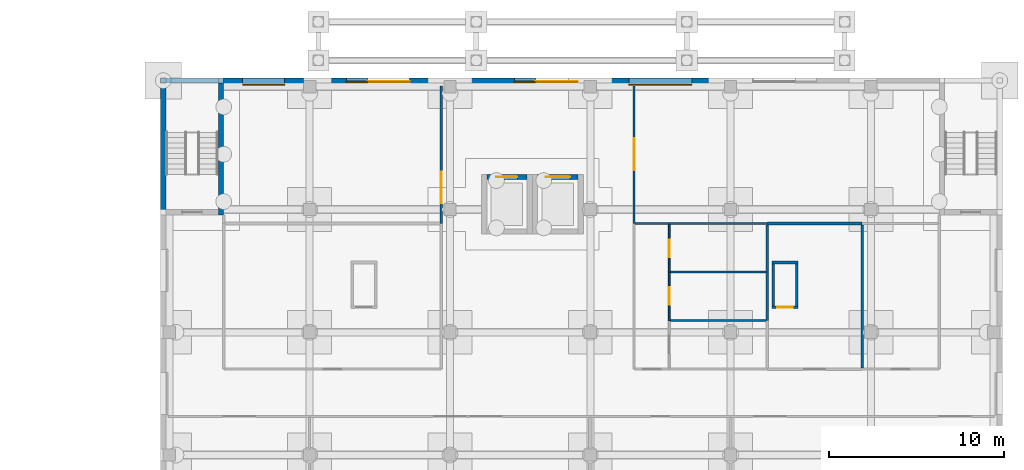
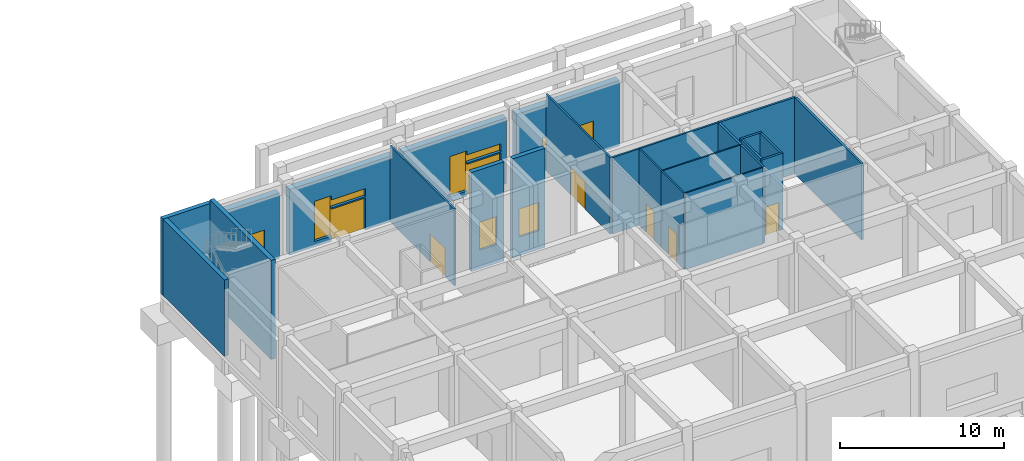
# One storey, part 42 of 51: 25 walls, 9 doors, 6 windows, 15 openings.
"""IFC4 building model written with IfcOpenShell, lengths in metres."""

import ifcopenshell
import ifcopenshell.guid

model = None  # the IFC model being written
_history = None  # IfcOwnerHistory: only IFC2X3 demands one
_inside = {}  # id of a spatial element -> (the spatial element, [elements in it])
_under = {}  # id of a project, library or spatial element -> (it, [spatial elements below it])
_declared = {}  # id of a project -> (the project, [libraries it declares])
_typed = {}  # id of a type object -> (the type object, [elements of that type])
_made_of = {}  # id of a material, layer set ... -> (it, [elements and type objects made of it])


def new_model(schema):
    """Start an empty IFC model of exactly this schema.

    Asked for "IFC4X3", IfcOpenShell would pick the latest addendum, in which some entities
    have other attributes; the version numbers below select the first issue.
    IFC2X3 requires an IfcOwnerHistory on every rooted entity: one is made here for all.
    """
    global model, _history
    if schema == "IFC4X3":
        model = ifcopenshell.file(schema_version=(4, 3, 0, 0))
    else:
        model = ifcopenshell.file(schema=schema)
    _inside.clear()
    _under.clear()
    _declared.clear()
    _typed.clear()
    _made_of.clear()
    _history = None
    if model.schema == "IFC2X3":
        org = make("IfcOrganization", Name="unknown")
        user = make(
            "IfcPersonAndOrganization",
            ThePerson=make("IfcPerson", FamilyName="unknown"),
            TheOrganization=org,
        )
        app = make(
            "IfcApplication",
            ApplicationDeveloper=org,
            Version="unknown",
            ApplicationFullName="unknown",
            ApplicationIdentifier="unknown",
        )
        _history = make(
            "IfcOwnerHistory",
            OwningUser=user,
            OwningApplication=app,
            ChangeAction="ADDED",
            CreationDate=0,
        )
    return model


def make(cls, **values):
    """One entity of the class cls with the attributes given. An attribute that is None is left unset."""
    return model.create_entity(
        cls, **{name: value for name, value in values.items() if value is not None}
    )


def rooted(cls, **values):
    """An entity with a GlobalId (a new one), such as an element, a storey or a relation."""
    return make(cls, GlobalId=ifcopenshell.guid.new(), OwnerHistory=_history, **values)


def si_unit(unit_type, name, prefix=None):
    """IfcSIUnit, for example si_unit("LENGTHUNIT", "METRE", prefix="MILLI")."""
    return make("IfcSIUnit", UnitType=unit_type, Prefix=prefix, Name=name)


def assignment(units):
    """IfcUnitAssignment: the units of a project."""
    return None if units is None else make("IfcUnitAssignment", Units=units)


def point(xyz):
    """IfcCartesianPoint."""
    return None if xyz is None else make("IfcCartesianPoint", Coordinates=xyz)


def direction(xyz):
    """IfcDirection."""
    return None if xyz is None else make("IfcDirection", DirectionRatios=xyz)


def frame(location, z_axis=None, x_axis=None):
    """IfcAxis2Placement3D, a coordinate frame: its origin and axes. An axis left out is left unset."""
    return make(
        "IfcAxis2Placement3D",
        Location=point(location),
        Axis=direction(z_axis),
        RefDirection=direction(x_axis),
    )


def frame_2d(location, x_axis=None):
    """IfcAxis2Placement2D, a coordinate frame in the plane: its origin and x axis."""
    return make(
        "IfcAxis2Placement2D", Location=point(location), RefDirection=direction(x_axis)
    )


def origin():
    """The frame at (0, 0, 0) with its axes left unset."""
    return frame((0.0, 0.0, 0.0))


def place(relative_to, where):
    """IfcLocalPlacement: puts the frame where relative to a parent placement (None: the world)."""
    return make(
        "IfcLocalPlacement", PlacementRelTo=relative_to, RelativePlacement=where
    )


def context(
    kind, dimensions, precision=None, world=None, true_north=None, identifier=None
):
    """IfcGeometricRepresentationContext, for example the 3D "Model" context."""
    return make(
        "IfcGeometricRepresentationContext",
        ContextIdentifier=identifier,
        ContextType=kind,
        CoordinateSpaceDimension=dimensions,
        Precision=precision,
        WorldCoordinateSystem=world,
        TrueNorth=true_north,
    )


def subcontext(parent, identifier, kind, view, scale=None):
    """IfcGeometricRepresentationSubContext, for example "Body" below "Model"."""
    return make(
        "IfcGeometricRepresentationSubContext",
        ContextIdentifier=identifier,
        ContextType=kind,
        ParentContext=parent,
        TargetScale=scale,
        TargetView=view,
    )


def project(units=None, contexts=None):
    """IfcProject with its units and contexts."""
    return rooted(
        "IfcProject",
        Name="project",
        RepresentationContexts=contexts,
        UnitsInContext=assignment(units),
    )


def spatial(cls, under=None, at=None, **own):
    """A site, building, storey or space (cls), placed at a placement, below another one or the project."""
    s = rooted(cls, ObjectPlacement=at, **own)
    if under is not None:
        _under.setdefault(under.id(), (under, []))[1].append(s)
    return s


def profile(cls, at=None, kind="AREA", **sizes):
    """A parametric profile (cls). Its sizes go by their IFC names, for example OverallWidth=200.0."""
    return make(cls, ProfileType=kind, Position=at, **sizes)


def rectangle(**sizes):
    """IfcRectangleProfileDef."""
    return profile("IfcRectangleProfileDef", **sizes)


def extrude(swept, where, along, depth):
    """IfcExtrudedAreaSolid: the profile swept, set in the frame where, extruded along a direction by depth."""
    return make(
        "IfcExtrudedAreaSolid",
        SweptArea=swept,
        Position=where,
        ExtrudedDirection=direction(along),
        Depth=depth,
    )


def shape(context_of_items, identifier, shape_type, items):
    """IfcShapeRepresentation: the items that make up one representation, for example the "Body"."""
    return make(
        "IfcShapeRepresentation",
        ContextOfItems=context_of_items,
        RepresentationIdentifier=identifier,
        RepresentationType=shape_type,
        Items=items,
    )


def material(Name=None, Category=None):
    """IfcMaterial."""
    return make("IfcMaterial", Name=Name, Category=Category)


def layer(
    of_material, thickness, ventilated=None, Name=None, Category=None, Priority=None
):
    """IfcMaterialLayer: one layer of a wall or slab, of a material (None: an air gap)."""
    return make(
        "IfcMaterialLayer",
        Material=of_material,
        LayerThickness=thickness,
        IsVentilated=ventilated,
        Name=Name,
        Category=Category,
        Priority=Priority,
    )


def layer_set(layers, Name=None):
    """IfcMaterialLayerSet."""
    return make("IfcMaterialLayerSet", MaterialLayers=layers, LayerSetName=Name)


def made_of(thing, what):
    """Note that an element or type object is made of a material, layer set ...; save() writes the relation."""
    if what is not None:
        _made_of.setdefault(what.id(), (what, []))[1].append(thing)
    return thing


def type_object(cls, material=None, **own):
    """A type object (cls), such as IfcWallType, which elements share."""
    return made_of(rooted(cls, **own), material)


def element(
    cls,
    number,
    at=None,
    inside=None,
    cuts=None,
    type_object=None,
    material=None,
    context=None,
    identifier="Body",
    shape_type=None,
    held_by="IfcProductDefinitionShape",
    body=None,
    shapes=None,
    **own,
):
    """One element of the class cls, such as IfcWall. Its Tag is "e" and its number.

    at: its placement. inside: the storey or other place that contains it. cuts: it is an
    opening in that element (IfcRelVoidsElement). A single representation is given by context,
    identifier, shape_type and body (its items); several are given by shapes. held_by: the class
    of the entity that holds the representations. save() writes the other relations.
    """
    e = rooted(cls, Tag="e%d" % number, ObjectPlacement=at, **own)
    if body is not None:
        shapes = [shape(context, identifier, shape_type, body)]
    if shapes is not None:
        e.Representation = make(held_by, Representations=shapes)
    if inside is not None:
        _inside.setdefault(inside.id(), (inside, []))[1].append(e)
    if cuts is not None:
        rooted(
            "IfcRelVoidsElement", RelatingBuildingElement=cuts, RelatedOpeningElement=e
        )
    if type_object is not None:
        _typed.setdefault(type_object.id(), (type_object, []))[1].append(e)
    return made_of(e, material)


def fill(opening, filler):
    """IfcRelFillsElement: the door or window that sits in an opening."""
    return rooted(
        "IfcRelFillsElement",
        RelatingOpeningElement=opening,
        RelatedBuildingElement=filler,
    )


def aggregate(whole, parts):
    """IfcRelAggregates: a whole, such as a stair, and the parts it consists of."""
    return rooted("IfcRelAggregates", RelatingObject=whole, RelatedObjects=parts)


def save(model, path):
    """Write the relations noted so far, then the file.

    IfcRelAggregates (storeys below a building ...), IfcRelContainedInSpatialStructure (elements
    in a storey), IfcRelDefinesByType, IfcRelAssociatesMaterial and IfcRelDeclares: one each for
    every whole, place, type object, material and project.
    """
    for whole, parts in _under.values():
        aggregate(whole, parts)
    for where, things in _inside.values():
        rooted(
            "IfcRelContainedInSpatialStructure",
            RelatedElements=things,
            RelatingStructure=where,
        )
    for kind, things in _typed.values():
        rooted("IfcRelDefinesByType", RelatedObjects=things, RelatingType=kind)
    for what, things in _made_of.values():
        rooted("IfcRelAssociatesMaterial", RelatedObjects=things, RelatingMaterial=what)
    for by, libraries in _declared.values():
        rooted("IfcRelDeclares", RelatingContext=by, RelatedDefinitions=libraries)
    model.write(path)


model = new_model("IFC4")

# Units and contexts
model_context = context("Model", 3, precision=1e-05, world=origin(), true_north=direction((0.0, 1.0)))
body_context = subcontext(model_context, "Body", "Model", "MODEL_VIEW")
ifc_project = project(units=[si_unit("LENGTHUNIT", "METRE"), si_unit("AREAUNIT", "SQUARE_METRE"), si_unit("VOLUMEUNIT", "CUBIC_METRE"), si_unit("PLANEANGLEUNIT", "RADIAN"), si_unit("MASSUNIT", "GRAM", prefix="KILO")], contexts=[model_context])

# Site, building, storey
site_placement = place(None, origin())
site = spatial("IfcSite", under=ifc_project, at=site_placement, CompositionType="ELEMENT")
building_placement = place(site_placement, origin())
building = spatial("IfcBuilding", under=site, at=building_placement, Name="Elmora Arch Market Hall", CompositionType="ELEMENT")
storey_placement = place(building_placement, origin())
storey = spatial("IfcBuildingStorey", under=building, at=storey_placement, Name="L00", CompositionType="ELEMENT", Elevation=0.0)

# Wall, opening, door
ifc_material_1 = material(Name="Blockwork", Category="masonry")
ifc_layer_1 = layer(ifc_material_1, 0.14990234375)
ifc_layer_set_1 = layer_set([ifc_layer_1], Name="Blockwork")
wall_type_1 = type_object("IfcWallType", Name="Blockwork partition 150 EI 120", PredefinedType="PARTITIONING", material=ifc_layer_set_1)
wall_1_placement = place(storey_placement, frame((120.85009765625, 152.925048828125, 0.0), z_axis=(0.0, 0.0, 1.0), x_axis=(1.0, 0.0, 0.0)))
wall_1 = element("IfcWall", 1, at=wall_1_placement, inside=storey, type_object=wall_type_1, Name="Riser wall L00 39", PredefinedType="PARTITIONING", context=body_context, shape_type="SweptSolid", body=[
    extrude(rectangle(XDim=1.5, YDim=0.14990234375, at=frame_2d((0.75, 0.0))), origin(), (0.0, 0.0, 1.0), 5.699951171875),
])
opening_1_placement = place(wall_1_placement, frame((0.300048828125, 0.0, 0.0)))
opening_1 = element("IfcOpeningElement", 2, at=opening_1_placement, cuts=wall_1, Name="Opening D-L00-108", PredefinedType="OPENING", context=body_context, shape_type="SweptSolid", body=[
    extrude(rectangle(XDim=0.89990234375, YDim=2.10009765625, at=frame_2d((0.449951171875, 1.050048828125))), frame((0.0, 0.0849609375, 0.0), z_axis=(0.0, -1.0, 0.0), x_axis=(1.0, 0.0, 0.0)), (0.0, 0.0, 1.0), 0.169921875),
])
ifc_material_2 = material(Name="Steel ASTM A653 galvanised", Category="steel")
door_type_1 = type_object("IfcDoorType", Name="Door 900 x 2100 FD90", OperationType="SINGLE_SWING_LEFT", PredefinedType="DOOR", material=ifc_material_2)
door_1_placement = place(opening_1_placement, origin())
door_1 = element("IfcDoor", 3, at=door_1_placement, inside=storey, type_object=door_type_1, Name="Riser access door D-L00-108", OperationType="SINGLE_SWING_LEFT", OverallHeight=2.10009765625, OverallWidth=0.89990234375, PredefinedType="DOOR", context=body_context, shape_type="SweptSolid", body=[
    extrude(rectangle(XDim=0.89990234375, YDim=2.10009765625, at=frame_2d((0.449951171875, 1.050048828125))), frame((0.0, 0.02490234375, 0.0), z_axis=(0.0, -1.0, 0.0), x_axis=(1.0, 0.0, 0.0)), (0.0, 0.0, 1.0), 0.050048828125),
])
fill(opening_1, door_1)

# Walls
wall_2_placement = place(storey_placement, frame((120.925048828125, 153.0, 0.0), z_axis=(0.0, 0.0, 1.0), x_axis=(0.0, 1.0, 0.0)))
element("IfcWall", 4, at=wall_2_placement, inside=storey, type_object=wall_type_1, Name="Riser wall L00 40", PredefinedType="PARTITIONING", context=body_context, shape_type="SweptSolid", body=[
    extrude(rectangle(XDim=2.39990234375, YDim=0.14990234375, at=frame_2d((1.199951171875, 0.0))), origin(), (0.0, 0.0, 1.0), 5.699951171875),
])
wall_3_placement = place(storey_placement, frame((120.85009765625, 155.47509765625, 0.0), z_axis=(0.0, 0.0, 1.0), x_axis=(1.0, 0.0, 0.0)))
element("IfcWall", 5, at=wall_3_placement, inside=storey, type_object=wall_type_1, Name="Riser wall L00 41", PredefinedType="PARTITIONING", context=body_context, shape_type="SweptSolid", body=[
    extrude(rectangle(XDim=1.5, YDim=0.14990234375, at=frame_2d((0.75, 0.0))), origin(), (0.0, 0.0, 1.0), 5.699951171875),
])
wall_4_placement = place(storey_placement, frame((122.27490234375, 153.0, 0.0), z_axis=(0.0, 0.0, 1.0), x_axis=(0.0, 1.0, 0.0)))
element("IfcWall", 6, at=wall_4_placement, inside=storey, type_object=wall_type_1, Name="Riser wall L00 42", PredefinedType="PARTITIONING", context=body_context, shape_type="SweptSolid", body=[
    extrude(rectangle(XDim=2.39990234375, YDim=0.14990234375, at=frame_2d((1.199951171875, 0.0))), origin(), (0.0, 0.0, 1.0), 5.699951171875),
])
ifc_material_3 = material(Name="Concrete C40/50", Category="concrete")
ifc_layer_2 = layer(ifc_material_3, 0.300048828125)
ifc_layer_set_2 = layer_set([ifc_layer_2], Name="Concrete C40/50")
wall_type_2 = type_object("IfcWallType", Name="Board-marked concrete wall 300", PredefinedType="SOLIDWALL", material=ifc_layer_set_2)
wall_5_placement = place(storey_placement, frame((86.0, 165.85009765625, 0.0), z_axis=(0.0, 0.0, 1.0), x_axis=(1.0, 0.0, 0.0)))
element("IfcWall", 7, at=wall_5_placement, inside=storey, type_object=wall_type_2, Name="School stair wall N L00 1", PredefinedType="SOLIDWALL", context=body_context, shape_type="SweptSolid", body=[
    extrude(rectangle(XDim=3.60009765625, YDim=0.300048828125, at=frame_2d((1.800048828125, 0.0))), origin(), (0.0, 0.0, 1.0), 5.699951171875),
])
wall_6_placement = place(storey_placement, frame((86.14990234375, 158.199951171875, 0.0), z_axis=(0.0, 0.0, 1.0), x_axis=(0.0, 1.0, 0.0)))
element("IfcWall", 8, at=wall_6_placement, inside=storey, type_object=wall_type_2, Name="School stair wall W L00 1", PredefinedType="SOLIDWALL", context=body_context, shape_type="SweptSolid", body=[
    extrude(rectangle(XDim=7.5, YDim=0.300048828125, at=frame_2d((3.75, 0.0))), origin(), (0.0, 0.0, 1.0), 5.699951171875),
])

# Wall, opening, window
ifc_material_4 = material(Name="Concrete C40/50", Category="concrete")
ifc_layer_3 = layer(ifc_material_4, 0.449951171875)
ifc_layer_set_3 = layer_set([ifc_layer_3], Name="Concrete C40/50")
wall_type_3 = type_object("IfcWallType", Name="Board-marked concrete wall 450", PredefinedType="SOLIDWALL", material=ifc_layer_set_3)
wall_7_placement = place(storey_placement, frame((89.60009765625, 165.77490234375, 0.0), z_axis=(0.0, 0.0, 1.0), x_axis=(1.0, 0.0, 0.0)))
wall_7 = element("IfcWall", 9, at=wall_7_placement, inside=storey, type_object=wall_type_3, Name="School facade wall N L00 3", PredefinedType="SOLIDWALL", context=body_context, shape_type="SweptSolid", body=[
    extrude(rectangle(XDim=4.5498046875, YDim=0.449951171875, at=frame_2d((2.27490234375, 0.0))), origin(), (0.0, 0.0, 1.0), 4.89990234375),
])
opening_2_placement = place(wall_7_placement, frame((1.074951171875, 0.0, 0.89990234375)))
opening_2 = element("IfcOpeningElement", 10, at=opening_2_placement, cuts=wall_7, Name="Opening WB2", PredefinedType="OPENING", context=body_context, shape_type="SweptSolid", body=[
    extrude(rectangle(XDim=2.39990234375, YDim=1.60009765625, at=frame_2d((1.199951171875, 0.800048828125))), frame((0.0, 0.23486328125, 0.0), z_axis=(0.0, -1.0, 0.0), x_axis=(1.0, 0.0, 0.0)), (0.0, 0.0, 1.0), 0.469970703125),
])
ifc_material_5 = material(Name="Aluminium", Category="aluminium")
window_type_1 = type_object("IfcWindowType", Name="School end band window 2400x1600", PartitioningType="SINGLE_PANEL", PredefinedType="WINDOW", material=ifc_material_5)
window_1_placement = place(opening_2_placement, origin())
window_1 = element("IfcWindow", 11, at=window_1_placement, inside=storey, type_object=window_type_1, Name="Window WB2 L00 N72", OverallHeight=1.60009765625, OverallWidth=2.39990234375, PartitioningType="SINGLE_PANEL", PredefinedType="WINDOW", context=body_context, shape_type="SweptSolid", body=[
    extrude(rectangle(XDim=2.39990234375, YDim=1.60009765625, at=frame_2d((1.199951171875, 0.800048828125))), frame((0.0, -0.125, 0.0), z_axis=(0.0, -1.0, 0.0), x_axis=(1.0, 0.0, 0.0)), (0.0, 0.0, 1.0), 0.06005859375),
])
fill(opening_2, window_1)

# Wall, openings, door, windows
wall_8_placement = place(storey_placement, frame((94.85009765625, 165.77490234375, 0.0), z_axis=(0.0, 0.0, 1.0), x_axis=(1.0, 0.0, 0.0)))
wall_8 = element("IfcWall", 12, at=wall_8_placement, inside=storey, type_object=wall_type_3, Name="School facade wall N L00 4", PredefinedType="SOLIDWALL", context=body_context, shape_type="SweptSolid", body=[
    extrude(rectangle(XDim=7.2998046875, YDim=0.449951171875, at=frame_2d((3.64990234375, 0.0))), origin(), (0.0, 0.0, 1.0), 4.89990234375),
])
opening_3_placement = place(wall_8_placement, frame((2.949951171875, 0.0, 0.0)))
opening_3 = element("IfcOpeningElement", 13, at=opening_3_placement, cuts=wall_8, Name="Opening EX-SCH-N1", PredefinedType="OPENING", context=body_context, shape_type="SweptSolid", body=[
    extrude(rectangle(XDim=2.39990234375, YDim=2.39990234375, at=frame_2d((1.199951171875, 1.199951171875))), frame((0.0, 0.23486328125, 0.0), z_axis=(0.0, -1.0, 0.0), x_axis=(1.0, 0.0, 0.0)), (0.0, 0.0, 1.0), 0.469970703125),
])
opening_4_placement = place(wall_8_placement, frame((2.949951171875, 0.0, 2.5)))
opening_4 = element("IfcOpeningElement", 14, at=opening_4_placement, cuts=wall_8, Name="Opening WK5", PredefinedType="OPENING", context=body_context, shape_type="SweptSolid", body=[
    extrude(rectangle(XDim=2.39990234375, YDim=0.60009765625, at=frame_2d((1.199951171875, 0.300048828125))), frame((0.0, 0.23486328125, 0.0), z_axis=(0.0, -1.0, 0.0), x_axis=(1.0, 0.0, 0.0)), (0.0, 0.0, 1.0), 0.469970703125),
])
opening_5_placement = place(wall_8_placement, frame((1.75, 0.0, 0.39990234375)))
opening_5 = element("IfcOpeningElement", 15, at=opening_5_placement, cuts=wall_8, Name="Opening WK4", PredefinedType="OPENING", context=body_context, shape_type="SweptSolid", body=[
    extrude(rectangle(XDim=1.199951171875, YDim=3.0, at=frame_2d((0.60009765625, 1.5))), frame((0.0, 0.23486328125, 0.0), z_axis=(0.0, -1.0, 0.0), x_axis=(1.0, 0.0, 0.0)), (0.0, 0.0, 1.0), 0.469970703125),
])
ifc_material_6 = material(Name="Glazed aluminium", Category="aluminium")
door_type_2 = type_object("IfcDoorType", Name="School entrance door 2400x2400", OperationType="DOUBLE_DOOR_DOUBLE_SWING", PredefinedType="DOOR", material=ifc_material_6)
door_2_placement = place(opening_3_placement, origin())
door_2 = element("IfcDoor", 16, at=door_2_placement, inside=storey, type_object=door_type_2, Name="School entrance door N1", OperationType="DOUBLE_DOOR_DOUBLE_SWING", OverallHeight=2.39990234375, OverallWidth=2.39990234375, PredefinedType="DOOR", context=body_context, shape_type="SweptSolid", body=[
    extrude(rectangle(XDim=2.39990234375, YDim=2.39990234375, at=frame_2d((1.199951171875, 1.199951171875))), frame((0.0, 0.02490234375, 0.0), z_axis=(0.0, -1.0, 0.0), x_axis=(1.0, 0.0, 0.0)), (0.0, 0.0, 1.0), 0.050048828125),
])
fill(opening_3, door_2)
ifc_material_7 = material(Name="Aluminium", Category="aluminium")
window_type_2 = type_object("IfcWindowType", Name="School entrance fanlight 2400x600", PartitioningType="SINGLE_PANEL", PredefinedType="WINDOW", material=ifc_material_7)
window_2_placement = place(opening_4_placement, origin())
window_2 = element("IfcWindow", 17, at=window_2_placement, inside=storey, type_object=window_type_2, Name="Window WK5 L00 N73", OverallHeight=0.60009765625, OverallWidth=2.39990234375, PartitioningType="SINGLE_PANEL", PredefinedType="WINDOW", context=body_context, shape_type="SweptSolid", body=[
    extrude(rectangle(XDim=2.39990234375, YDim=0.60009765625, at=frame_2d((1.199951171875, 0.300048828125))), frame((0.0, 0.025146484375, 0.0), z_axis=(0.0, -1.0, 0.0), x_axis=(1.0, 0.0, 0.0)), (0.0, 0.0, 1.0), 0.06005859375),
])
fill(opening_4, window_2)
ifc_material_8 = material(Name="Aluminium", Category="aluminium")
window_type_3 = type_object("IfcWindowType", Name="School entrance light 1200x3000", PartitioningType="SINGLE_PANEL", PredefinedType="WINDOW", material=ifc_material_8)
window_3_placement = place(opening_5_placement, origin())
window_3 = element("IfcWindow", 18, at=window_3_placement, inside=storey, type_object=window_type_3, Name="Window WK4 L00 N74", OverallHeight=3.0, OverallWidth=1.199951171875, PartitioningType="SINGLE_PANEL", PredefinedType="WINDOW", context=body_context, shape_type="SweptSolid", body=[
    extrude(rectangle(XDim=1.199951171875, YDim=3.0, at=frame_2d((0.60009765625, 1.5))), frame((0.0, 0.025146484375, 0.0), z_axis=(0.0, -1.0, 0.0), x_axis=(1.0, 0.0, 0.0)), (0.0, 0.0, 1.0), 0.06005859375),
])
fill(opening_5, window_3)

wall_9_placement = place(storey_placement, frame((102.85009765625, 165.77490234375, 0.0), z_axis=(0.0, 0.0, 1.0), x_axis=(1.0, 0.0, 0.0)))
wall_9 = element("IfcWall", 19, at=wall_9_placement, inside=storey, type_object=wall_type_3, Name="School facade wall N L00 5", PredefinedType="SOLIDWALL", context=body_context, shape_type="SweptSolid", body=[
    extrude(rectangle(XDim=7.2998046875, YDim=0.449951171875, at=frame_2d((3.64990234375, 0.0))), origin(), (0.0, 0.0, 1.0), 4.89990234375),
])
opening_6_placement = place(wall_9_placement, frame((4.52490234375, 0.0, 0.0)))
opening_6 = element("IfcOpeningElement", 20, at=opening_6_placement, cuts=wall_9, Name="Opening EX-SCH-N2", PredefinedType="OPENING", context=body_context, shape_type="SweptSolid", body=[
    extrude(rectangle(XDim=2.39990234375, YDim=2.39990234375, at=frame_2d((1.199951171875, 1.199951171875))), frame((0.0, 0.23486328125, 0.0), z_axis=(0.0, -1.0, 0.0), x_axis=(1.0, 0.0, 0.0)), (0.0, 0.0, 1.0), 0.469970703125),
])
opening_7_placement = place(wall_9_placement, frame((4.52490234375, 0.0, 2.5)))
opening_7 = element("IfcOpeningElement", 21, at=opening_7_placement, cuts=wall_9, Name="Opening WK5", PredefinedType="OPENING", context=body_context, shape_type="SweptSolid", body=[
    extrude(rectangle(XDim=2.39990234375, YDim=0.60009765625, at=frame_2d((1.199951171875, 0.300048828125))), frame((0.0, 0.23486328125, 0.0), z_axis=(0.0, -1.0, 0.0), x_axis=(1.0, 0.0, 0.0)), (0.0, 0.0, 1.0), 0.469970703125),
])
opening_8_placement = place(wall_9_placement, frame((3.324951171875, 0.0, 0.39990234375)))
opening_8 = element("IfcOpeningElement", 22, at=opening_8_placement, cuts=wall_9, Name="Opening WK4", PredefinedType="OPENING", context=body_context, shape_type="SweptSolid", body=[
    extrude(rectangle(XDim=1.199951171875, YDim=3.0, at=frame_2d((0.60009765625, 1.5))), frame((0.0, 0.23486328125, 0.0), z_axis=(0.0, -1.0, 0.0), x_axis=(1.0, 0.0, 0.0)), (0.0, 0.0, 1.0), 0.469970703125),
])
door_3_placement = place(opening_6_placement, origin())
door_3 = element("IfcDoor", 23, at=door_3_placement, inside=storey, type_object=door_type_2, Name="School entrance door N2", OperationType="DOUBLE_DOOR_DOUBLE_SWING", OverallHeight=2.39990234375, OverallWidth=2.39990234375, PredefinedType="DOOR", context=body_context, shape_type="SweptSolid", body=[
    extrude(rectangle(XDim=2.39990234375, YDim=2.39990234375, at=frame_2d((1.199951171875, 1.199951171875))), frame((0.0, 0.02490234375, 0.0), z_axis=(0.0, -1.0, 0.0), x_axis=(1.0, 0.0, 0.0)), (0.0, 0.0, 1.0), 0.050048828125),
])
fill(opening_6, door_3)
window_4_placement = place(opening_7_placement, origin())
window_4 = element("IfcWindow", 24, at=window_4_placement, inside=storey, type_object=window_type_2, Name="Window WK5 L00 N75", OverallHeight=0.60009765625, OverallWidth=2.39990234375, PartitioningType="SINGLE_PANEL", PredefinedType="WINDOW", context=body_context, shape_type="SweptSolid", body=[
    extrude(rectangle(XDim=2.39990234375, YDim=0.60009765625, at=frame_2d((1.199951171875, 0.300048828125))), frame((0.0, 0.025146484375, 0.0), z_axis=(0.0, -1.0, 0.0), x_axis=(1.0, 0.0, 0.0)), (0.0, 0.0, 1.0), 0.06005859375),
])
fill(opening_7, window_4)
window_5_placement = place(opening_8_placement, origin())
window_5 = element("IfcWindow", 25, at=window_5_placement, inside=storey, type_object=window_type_3, Name="Window WK4 L00 N76", OverallHeight=3.0, OverallWidth=1.199951171875, PartitioningType="SINGLE_PANEL", PredefinedType="WINDOW", context=body_context, shape_type="SweptSolid", body=[
    extrude(rectangle(XDim=1.199951171875, YDim=3.0, at=frame_2d((0.60009765625, 1.5))), frame((0.0, 0.025146484375, 0.0), z_axis=(0.0, -1.0, 0.0), x_axis=(1.0, 0.0, 0.0)), (0.0, 0.0, 1.0), 0.06005859375),
])
fill(opening_8, window_5)

# Wall, opening, window
wall_10_placement = place(storey_placement, frame((110.85009765625, 165.77490234375, 0.0), z_axis=(0.0, 0.0, 1.0), x_axis=(1.0, 0.0, 0.0)))
wall_10 = element("IfcWall", 26, at=wall_10_placement, inside=storey, type_object=wall_type_3, Name="School facade wall N L00 6", PredefinedType="SOLIDWALL", context=body_context, shape_type="SweptSolid", body=[
    extrude(rectangle(XDim=7.2998046875, YDim=0.449951171875, at=frame_2d((3.64990234375, 0.0))), origin(), (0.0, 0.0, 1.0), 4.89990234375),
])
opening_9_placement = place(wall_10_placement, frame((1.85009765625, 0.0, 0.89990234375)))
opening_9 = element("IfcOpeningElement", 27, at=opening_9_placement, cuts=wall_10, Name="Opening WB1", PredefinedType="OPENING", context=body_context, shape_type="SweptSolid", body=[
    extrude(rectangle(XDim=3.60009765625, YDim=1.60009765625, at=frame_2d((1.800048828125, 0.800048828125))), frame((0.0, 0.23486328125, 0.0), z_axis=(0.0, -1.0, 0.0), x_axis=(1.0, 0.0, 0.0)), (0.0, 0.0, 1.0), 0.469970703125),
])
ifc_material_9 = material(Name="Aluminium", Category="aluminium")
window_type_4 = type_object("IfcWindowType", Name="School band window 3600x1600", PartitioningType="SINGLE_PANEL", PredefinedType="WINDOW", material=ifc_material_9)
window_6_placement = place(opening_9_placement, origin())
window_6 = element("IfcWindow", 28, at=window_6_placement, inside=storey, type_object=window_type_4, Name="Window WB1 L00 N77", OverallHeight=1.60009765625, OverallWidth=3.60009765625, PartitioningType="SINGLE_PANEL", PredefinedType="WINDOW", context=body_context, shape_type="SweptSolid", body=[
    extrude(rectangle(XDim=3.60009765625, YDim=1.60009765625, at=frame_2d((1.800048828125, 0.800048828125))), frame((0.0, -0.125, 0.0), z_axis=(0.0, -1.0, 0.0), x_axis=(1.0, 0.0, 0.0)), (0.0, 0.0, 1.0), 0.06005859375),
])
fill(opening_9, window_6)

# Walls
ifc_material_10 = material(Name="Insulated metal panel")
ifc_layer_4 = layer(ifc_material_10, 0.14990234375)
ifc_layer_set_4 = layer_set([ifc_layer_4], Name="Insulated metal panel")
wall_type_4 = type_object("IfcWallType", Name="Cold store panel 150 EI 60", PredefinedType="PARTITIONING", material=ifc_layer_set_4)
wall_11_placement = place(storey_placement, frame((120.60009765625, 157.699951171875, 0.0), z_axis=(0.0, 0.0, 1.0), x_axis=(1.0, 0.0, 0.0)))
element("IfcWall", 29, at=wall_11_placement, inside=storey, type_object=wall_type_4, Name="Partition PT-L00-128", PredefinedType="PARTITIONING", context=body_context, shape_type="SweptSolid", body=[
    extrude(rectangle(XDim=5.39990234375, YDim=0.14990234375, at=frame_2d((2.699951171875, 0.0))), origin(), (0.0, 0.0, 1.0), 5.699951171875),
])
wall_12_placement = place(storey_placement, frame((120.60009765625, 152.166748046875, 0.0), z_axis=(0.0, 0.0, 1.0), x_axis=(0.0, 1.0, 0.0)))
element("IfcWall", 30, at=wall_12_placement, inside=storey, type_object=wall_type_4, Name="Partition PT-L00-256", PredefinedType="PARTITIONING", context=body_context, shape_type="SweptSolid", body=[
    extrude(rectangle(XDim=2.7666015625, YDim=0.14990234375, at=frame_2d((1.38330078125, 0.0))), origin(), (0.0, 0.0, 1.0), 5.699951171875),
])
wall_13_placement = place(storey_placement, frame((120.60009765625, 154.933349609375, 0.0), z_axis=(0.0, 0.0, 1.0), x_axis=(0.0, 1.0, 0.0)))
element("IfcWall", 31, at=wall_13_placement, inside=storey, type_object=wall_type_4, Name="Partition PT-L00-257", PredefinedType="PARTITIONING", context=body_context, shape_type="SweptSolid", body=[
    extrude(rectangle(XDim=2.691650390625, YDim=0.14990234375, at=frame_2d((1.345703125, 0.0))), origin(), (0.0, 0.0, 1.0), 5.699951171875),
])
wall_14_placement = place(storey_placement, frame((126.0, 149.47509765625, 0.0), z_axis=(0.0, 0.0, 1.0), x_axis=(0.0, 1.0, 0.0)))
element("IfcWall", 32, at=wall_14_placement, inside=storey, type_object=wall_type_4, Name="Partition PT-L00-258", PredefinedType="PARTITIONING", context=body_context, shape_type="SweptSolid", body=[
    extrude(rectangle(XDim=8.14990234375, YDim=0.14990234375, at=frame_2d((4.074951171875, 0.0))), origin(), (0.0, 0.0, 1.0), 5.699951171875),
])

# Wall, opening, door
ifc_material_11 = material(Name="Concrete C40/50", Category="concrete")
ifc_layer_5 = layer(ifc_material_11, 0.300048828125)
ifc_layer_set_5 = layer_set([ifc_layer_5], Name="Concrete C40/50")
wall_type_5 = type_object("IfcWallType", Name="Lift shaft wall 300", PredefinedType="SHEAR", material=ifc_layer_set_5)
wall_15_placement = place(storey_placement, frame((104.60009765625, 160.35009765625, -1.39990234375), z_axis=(0.0, 0.0, 1.0), x_axis=(1.0, 0.0, 0.0)))
wall_15 = element("IfcWall", 33, at=wall_15_placement, inside=storey, type_object=wall_type_5, Name="Lift shaft wall SL1 N L00", PredefinedType="SHEAR", context=body_context, shape_type="SweptSolid", body=[
    extrude(rectangle(XDim=2.2998046875, YDim=0.300048828125, at=frame_2d((1.14990234375, 0.0))), origin(), (0.0, 0.0, 1.0), 7.39990234375),
])
opening_10_placement = place(wall_15_placement, frame((0.550048828125, 0.0, 1.39990234375)))
opening_10 = element("IfcOpeningElement", 34, at=opening_10_placement, cuts=wall_15, Name="Opening LD-SL1-L00", PredefinedType="OPENING", context=body_context, shape_type="SweptSolid", body=[
    extrude(rectangle(XDim=1.199951171875, YDim=2.10009765625, at=frame_2d((0.60009765625, 1.050048828125))), frame((0.0, 0.159912109375, 0.0), z_axis=(0.0, -1.0, 0.0), x_axis=(1.0, 0.0, 0.0)), (0.0, 0.0, 1.0), 0.320068359375),
])
ifc_material_12 = material(Name="Stainless steel ASTM A240 Type 304", Category="steel")
door_type_3 = type_object("IfcDoorType", Name="Lift landing door 1200 x 2100 FD90", OperationType="SLIDING_TO_LEFT", PredefinedType="DOOR", material=ifc_material_12)
door_4_placement = place(opening_10_placement, origin())
door_4 = element("IfcDoor", 35, at=door_4_placement, inside=storey, type_object=door_type_3, Name="Landing door SL1 L00", OperationType="SLIDING_TO_LEFT", OverallHeight=2.10009765625, OverallWidth=1.199951171875, PredefinedType="DOOR", context=body_context, shape_type="SweptSolid", body=[
    extrude(rectangle(XDim=1.199951171875, YDim=2.10009765625, at=frame_2d((0.60009765625, 1.050048828125))), frame((0.0, 0.02490234375, 0.0), z_axis=(0.0, -1.0, 0.0), x_axis=(1.0, 0.0, 0.0)), (0.0, 0.0, 1.0), 0.050048828125),
])
fill(opening_10, door_4)

wall_16_placement = place(storey_placement, frame((107.5, 160.35009765625, -1.39990234375), z_axis=(0.0, 0.0, 1.0), x_axis=(1.0, 0.0, 0.0)))
wall_16 = element("IfcWall", 36, at=wall_16_placement, inside=storey, type_object=wall_type_5, Name="Lift shaft wall SL2 N L00", PredefinedType="SHEAR", context=body_context, shape_type="SweptSolid", body=[
    extrude(rectangle(XDim=2.300048828125, YDim=0.300048828125, at=frame_2d((1.14990234375, 0.0))), origin(), (0.0, 0.0, 1.0), 7.39990234375),
])
opening_11_placement = place(wall_16_placement, frame((0.449951171875, 0.0, 1.39990234375)))
opening_11 = element("IfcOpeningElement", 37, at=opening_11_placement, cuts=wall_16, Name="Opening LD-SL2-L00", PredefinedType="OPENING", context=body_context, shape_type="SweptSolid", body=[
    extrude(rectangle(XDim=1.39990234375, YDim=2.10009765625, at=frame_2d((0.699951171875, 1.050048828125))), frame((0.0, 0.159912109375, 0.0), z_axis=(0.0, -1.0, 0.0), x_axis=(1.0, 0.0, 0.0)), (0.0, 0.0, 1.0), 0.320068359375),
])
ifc_material_13 = material(Name="Stainless steel ASTM A240 Type 304", Category="steel")
door_type_4 = type_object("IfcDoorType", Name="Lift landing door 1400 x 2100 FD90", OperationType="DOUBLE_DOOR_SLIDING", PredefinedType="DOOR", material=ifc_material_13)
door_5_placement = place(opening_11_placement, origin())
door_5 = element("IfcDoor", 38, at=door_5_placement, inside=storey, type_object=door_type_4, Name="Landing door SL2 L00", OperationType="DOUBLE_DOOR_SLIDING", OverallHeight=2.10009765625, OverallWidth=1.39990234375, PredefinedType="DOOR", context=body_context, shape_type="SweptSolid", body=[
    extrude(rectangle(XDim=1.39990234375, YDim=2.10009765625, at=frame_2d((0.699951171875, 1.050048828125))), frame((0.0, 0.02490234375, 0.0), z_axis=(0.0, -1.0, 0.0), x_axis=(1.0, 0.0, 0.0)), (0.0, 0.0, 1.0), 0.050048828125),
])
fill(opening_11, door_5)

# Walls
ifc_material_14 = material(Name="Gypsum board on metal studs")
ifc_layer_6 = layer(ifc_material_14, 0.10009765625)
ifc_layer_set_6 = layer_set([ifc_layer_6], Name="Gypsum board on metal studs")
wall_type_6 = type_object("IfcWallType", Name="Partition 100", PredefinedType="PARTITIONING", material=ifc_layer_set_6)
for number, where, z_axis, x_axis, name in (
    (39, (115.050048828125, 152.166748046875, 0.0), (0.0, 0.0, 1.0), (1.0, 0.0, 0.0), "Partition PT-L00-123"),
    (40, (115.050048828125, 154.933349609375, 0.0), (0.0, 0.0, 1.0), (1.0, 0.0, 0.0), "Partition PT-L00-124"),
):
    element("IfcWall", number, at=place(storey_placement, frame(where, z_axis=z_axis, x_axis=x_axis)), inside=storey, type_object=wall_type_6, Name=name, PredefinedType="PARTITIONING", context=body_context, shape_type="SweptSolid", body=[
        extrude(rectangle(XDim=5.474853515625, YDim=0.10009765625, at=frame_2d((2.7373046875, 0.0))), origin(), (0.0, 0.0, 1.0), 5.699951171875),
    ])

# Wall, opening, door
wall_17_placement = place(storey_placement, frame((115.0, 152.166748046875, 0.0), z_axis=(0.0, 0.0, 1.0), x_axis=(0.0, 1.0, 0.0)))
wall_17 = element("IfcWall", 41, at=wall_17_placement, inside=storey, type_object=wall_type_6, Name="Partition PT-L00-252", PredefinedType="PARTITIONING", context=body_context, shape_type="SweptSolid", body=[
    extrude(rectangle(XDim=2.7666015625, YDim=0.10009765625, at=frame_2d((1.38330078125, 0.0))), origin(), (0.0, 0.0, 1.0), 5.699951171875),
])
opening_12_placement = place(wall_17_placement, frame((0.89990234375, 0.0, 0.0)))
opening_12 = element("IfcOpeningElement", 42, at=opening_12_placement, cuts=wall_17, Name="Opening D-L00-109", PredefinedType="OPENING", context=body_context, shape_type="SweptSolid", body=[
    extrude(rectangle(XDim=1.0, YDim=2.10009765625, at=frame_2d((0.5, 1.050048828125))), frame((0.0, 0.06005859375, 0.0), z_axis=(0.0, -1.0, 0.0), x_axis=(1.0, 0.0, 0.0)), (0.0, 0.0, 1.0), 0.1201171875),
])
ifc_material_15 = material(Name="Timber door set", Category="wood")
door_type_5 = type_object("IfcDoorType", Name="Door 1000 x 2100", OperationType="SINGLE_SWING_LEFT", PredefinedType="DOOR", material=ifc_material_15)
door_6_placement = place(opening_12_placement, frame((1.0, 0.0, 0.0), z_axis=(0.0, 0.0, 1.0), x_axis=(-1.0, 0.0, 0.0)))
door_6 = element("IfcDoor", 43, at=door_6_placement, inside=storey, type_object=door_type_5, Name="D-L00-109", OperationType="SINGLE_SWING_LEFT", OverallHeight=2.10009765625, OverallWidth=1.0, PredefinedType="DOOR", context=body_context, shape_type="SweptSolid", body=[
    extrude(rectangle(XDim=1.0, YDim=2.10009765625, at=frame_2d((0.5, 1.050048828125))), frame((0.0, 0.02490234375, 0.0), z_axis=(0.0, -1.0, 0.0), x_axis=(1.0, 0.0, 0.0)), (0.0, 0.0, 1.0), 0.050048828125),
])
fill(opening_12, door_6)

wall_18_placement = place(storey_placement, frame((115.0, 154.933349609375, 0.0), z_axis=(0.0, 0.0, 1.0), x_axis=(0.0, 1.0, 0.0)))
wall_18 = element("IfcWall", 44, at=wall_18_placement, inside=storey, type_object=wall_type_6, Name="Partition PT-L00-253", PredefinedType="PARTITIONING", context=body_context, shape_type="SweptSolid", body=[
    extrude(rectangle(XDim=2.7041015625, YDim=0.10009765625, at=frame_2d((1.35205078125, 0.0))), origin(), (0.0, 0.0, 1.0), 5.699951171875),
])
opening_13_placement = place(wall_18_placement, frame((0.85009765625, 0.0, 0.0)))
opening_13 = element("IfcOpeningElement", 45, at=opening_13_placement, cuts=wall_18, Name="Opening D-L00-110", PredefinedType="OPENING", context=body_context, shape_type="SweptSolid", body=[
    extrude(rectangle(XDim=1.0, YDim=2.10009765625, at=frame_2d((0.5, 1.050048828125))), frame((0.0, 0.06005859375, 0.0), z_axis=(0.0, -1.0, 0.0), x_axis=(1.0, 0.0, 0.0)), (0.0, 0.0, 1.0), 0.1201171875),
])
door_7_placement = place(opening_13_placement, frame((1.0, 0.0, 0.0), z_axis=(0.0, 0.0, 1.0), x_axis=(-1.0, 0.0, 0.0)))
door_7 = element("IfcDoor", 46, at=door_7_placement, inside=storey, type_object=door_type_5, Name="D-L00-110", OperationType="SINGLE_SWING_RIGHT", OverallHeight=2.10009765625, OverallWidth=1.0, PredefinedType="DOOR", context=body_context, shape_type="SweptSolid", body=[
    extrude(rectangle(XDim=1.0, YDim=2.10009765625, at=frame_2d((0.5, 1.050048828125))), frame((0.0, 0.02490234375, 0.0), z_axis=(0.0, -1.0, 0.0), x_axis=(1.0, 0.0, 0.0)), (0.0, 0.0, 1.0), 0.050048828125),
])
fill(opening_13, door_7)

# Walls
ifc_material_16 = material(Name="Gypsum board on metal studs")
ifc_layer_7 = layer(ifc_material_16, 0.125)
ifc_layer_set_7 = layer_set([ifc_layer_7], Name="Gypsum board on metal studs")
wall_type_7 = type_object("IfcWallType", Name="Partition 125 EI 60", PredefinedType="PARTITIONING", material=ifc_layer_set_7)
wall_19_placement = place(storey_placement, frame((113.0625, 157.699951171875, 0.0), z_axis=(0.0, 0.0, 1.0), x_axis=(1.0, 0.0, 0.0)))
element("IfcWall", 47, at=wall_19_placement, inside=storey, type_object=wall_type_7, Name="Partition PT-L00-126", PredefinedType="PARTITIONING", context=body_context, shape_type="SweptSolid", body=[
    extrude(rectangle(XDim=1.9375, YDim=0.125, at=frame_2d((0.96875, 0.0))), origin(), (0.0, 0.0, 1.0), 5.699951171875),
])
wall_20_placement = place(storey_placement, frame((115.0, 157.699951171875, 0.0), z_axis=(0.0, 0.0, 1.0), x_axis=(1.0, 0.0, 0.0)))
element("IfcWall", 48, at=wall_20_placement, inside=storey, type_object=wall_type_7, Name="Partition PT-L00-127", PredefinedType="PARTITIONING", context=body_context, shape_type="SweptSolid", body=[
    extrude(rectangle(XDim=5.60009765625, YDim=0.125, at=frame_2d((2.800048828125, 0.0))), origin(), (0.0, 0.0, 1.0), 5.699951171875),
])

# Wall, opening, door
wall_21_placement = place(storey_placement, frame((102.0, 157.699951171875, 0.0), z_axis=(0.0, 0.0, 1.0), x_axis=(0.0, 1.0, 0.0)))
wall_21 = element("IfcWall", 49, at=wall_21_placement, inside=storey, type_object=wall_type_7, Name="Partition PT-L00-247", PredefinedType="PARTITIONING", context=body_context, shape_type="SweptSolid", body=[
    extrude(rectangle(XDim=7.85009765625, YDim=0.125, at=frame_2d((3.925048828125, 0.0))), origin(), (0.0, 0.0, 1.0), 5.699951171875),
])
opening_14_placement = place(wall_21_placement, frame((1.14990234375, 0.0, 0.0)))
opening_14 = element("IfcOpeningElement", 50, at=opening_14_placement, cuts=wall_21, Name="Opening D-L00-111", PredefinedType="OPENING", context=body_context, shape_type="SweptSolid", body=[
    extrude(rectangle(XDim=1.800048828125, YDim=2.10009765625, at=frame_2d((0.89990234375, 1.050048828125))), frame((0.0, 0.072509765625, 0.0), z_axis=(0.0, -1.0, 0.0), x_axis=(1.0, 0.0, 0.0)), (0.0, 0.0, 1.0), 0.14501953125),
])
ifc_material_17 = material(Name="Steel ASTM A653 galvanised", Category="steel")
door_type_6 = type_object("IfcDoorType", Name="Double door 1800 x 2100 FD45", OperationType="DOUBLE_DOOR_SINGLE_SWING", PredefinedType="DOOR", material=ifc_material_17)
door_8_placement = place(opening_14_placement, origin())
door_8 = element("IfcDoor", 51, at=door_8_placement, inside=storey, type_object=door_type_6, Name="D-L00-111", OperationType="DOUBLE_DOOR_SINGLE_SWING", OverallHeight=2.10009765625, OverallWidth=1.800048828125, PredefinedType="DOOR", context=body_context, shape_type="SweptSolid", body=[
    extrude(rectangle(XDim=1.800048828125, YDim=2.10009765625, at=frame_2d((0.89990234375, 1.050048828125))), frame((0.0, 0.02490234375, 0.0), z_axis=(0.0, -1.0, 0.0), x_axis=(1.0, 0.0, 0.0)), (0.0, 0.0, 1.0), 0.050048828125),
])
fill(opening_14, door_8)

wall_22_placement = place(storey_placement, frame((113.0, 157.699951171875, 0.0), z_axis=(0.0, 0.0, 1.0), x_axis=(0.0, 1.0, 0.0)))
wall_22 = element("IfcWall", 52, at=wall_22_placement, inside=storey, type_object=wall_type_7, Name="Partition PT-L00-250", PredefinedType="PARTITIONING", context=body_context, shape_type="SweptSolid", body=[
    extrude(rectangle(XDim=7.85009765625, YDim=0.125, at=frame_2d((3.925048828125, 0.0))), origin(), (0.0, 0.0, 1.0), 5.699951171875),
])
opening_15_placement = place(wall_22_placement, frame((3.050048828125, 0.0, 0.0)))
opening_15 = element("IfcOpeningElement", 53, at=opening_15_placement, cuts=wall_22, Name="Opening D-L00-112", PredefinedType="OPENING", context=body_context, shape_type="SweptSolid", body=[
    extrude(rectangle(XDim=1.800048828125, YDim=2.10009765625, at=frame_2d((0.89990234375, 1.050048828125))), frame((0.0, 0.072509765625, 0.0), z_axis=(0.0, -1.0, 0.0), x_axis=(1.0, 0.0, 0.0)), (0.0, 0.0, 1.0), 0.14501953125),
])
door_9_placement = place(opening_15_placement, frame((1.800048828125, 0.0, 0.0), z_axis=(0.0, 0.0, 1.0), x_axis=(-1.0, 0.0, 0.0)))
door_9 = element("IfcDoor", 54, at=door_9_placement, inside=storey, type_object=door_type_6, Name="D-L00-112", OperationType="DOUBLE_DOOR_SINGLE_SWING", OverallHeight=2.10009765625, OverallWidth=1.800048828125, PredefinedType="DOOR", context=body_context, shape_type="SweptSolid", body=[
    extrude(rectangle(XDim=1.800048828125, YDim=2.10009765625, at=frame_2d((0.89990234375, 1.050048828125))), frame((0.0, 0.02490234375, 0.0), z_axis=(0.0, -1.0, 0.0), x_axis=(1.0, 0.0, 0.0)), (0.0, 0.0, 1.0), 0.050048828125),
])
fill(opening_15, door_9)

# Wall
ifc_material_18 = material(Name="Concrete C40/50", Category="concrete")
ifc_layer_8 = layer(ifc_material_18, 0.300048828125)
ifc_layer_set_8 = layer_set([ifc_layer_8], Name="Concrete C40/50")
wall_type_8 = type_object("IfcWallType", Name="Stair wall 300", PredefinedType="SHEAR", material=ifc_layer_set_8)
wall_23_placement = place(storey_placement, frame((89.449951171875, 158.199951171875, -1.39990234375), z_axis=(0.0, 0.0, 1.0), x_axis=(0.0, 1.0, 0.0)))
element("IfcWall", 55, at=wall_23_placement, inside=storey, type_object=wall_type_8, Name="Stair wall ST-SCW E L00", PredefinedType="SHEAR", context=body_context, shape_type="SweptSolid", body=[
    extrude(rectangle(XDim=7.5, YDim=0.300048828125, at=frame_2d((3.75, 0.0))), origin(), (0.0, 0.0, 1.0), 7.39990234375),
])

save(model, "model.ifc")
